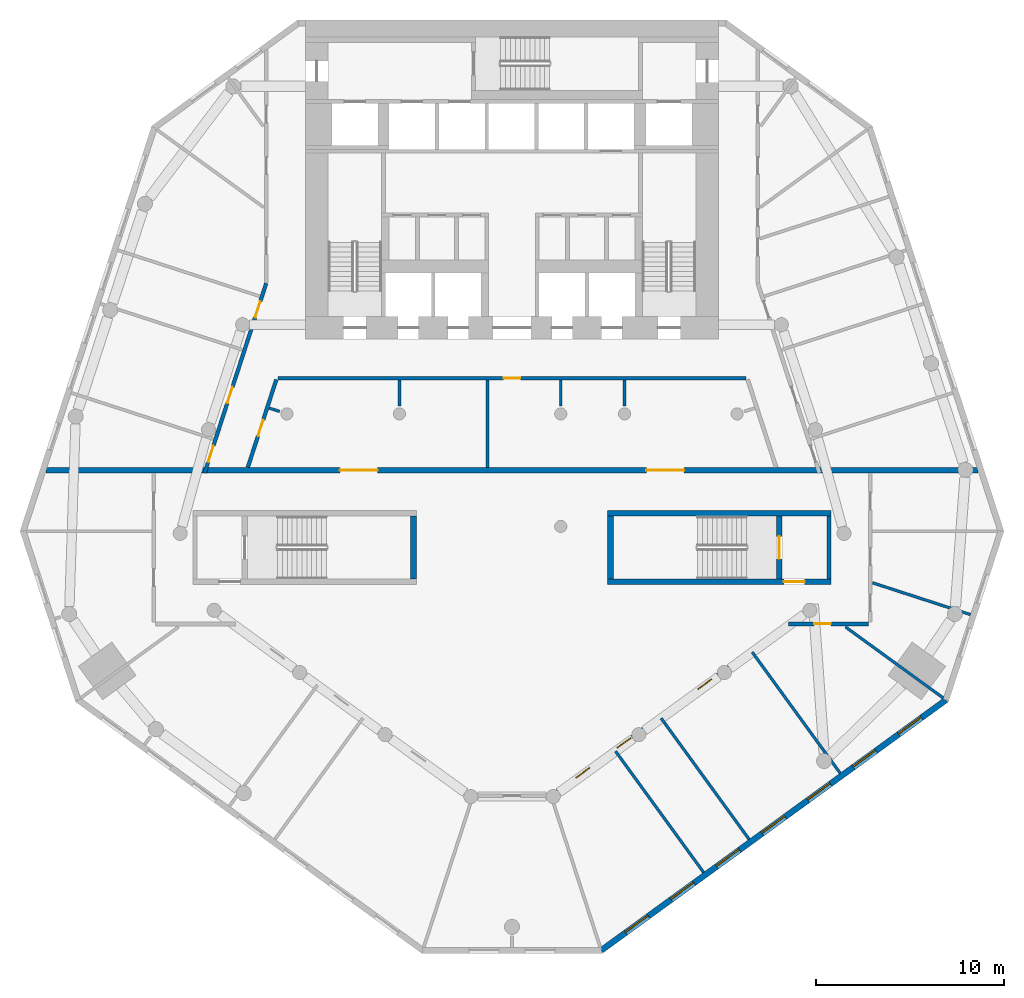
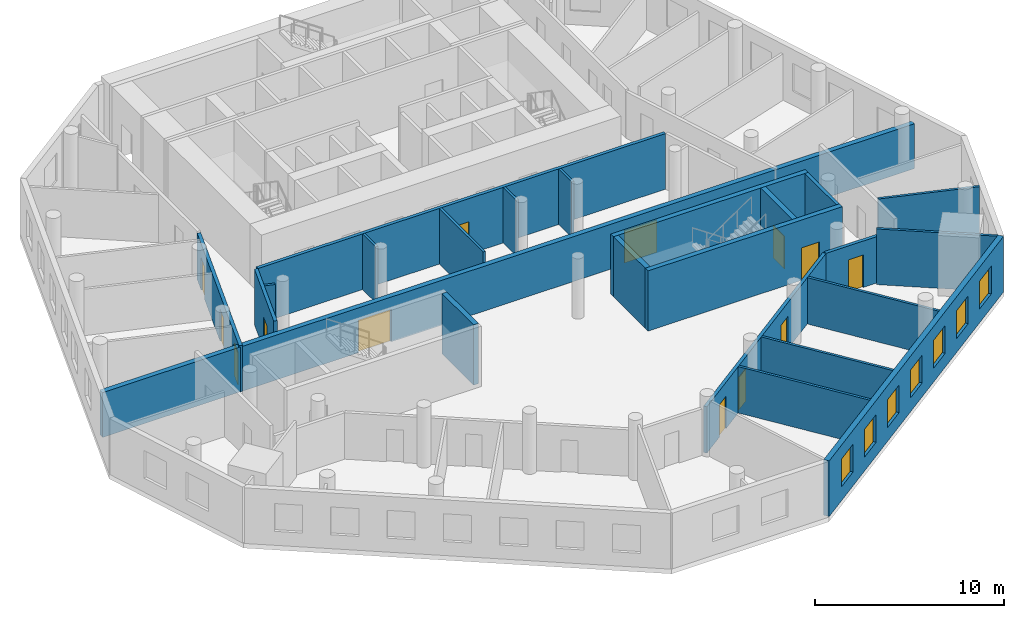
# One storey, part 3 of 9: 23 walls, 13 doors, 7 windows, 20 openings.
"""IFC4 building model written with IfcOpenShell, lengths in metres."""

from ifc_helpers import new_model, si_unit, direction, frame, frame_2d, origin, place, context, subcontext, project, spatial, rectangle, extrude, material, layer, layer_set, type_object, element, fill, save


model = new_model("IFC4")

# Units and contexts
model_context = context("Model", 3, precision=1e-05, world=origin(), true_north=direction((0.0, 1.0)))
body_context = subcontext(model_context, "Body", "Model", "MODEL_VIEW")
ifc_project = project(units=[si_unit("LENGTHUNIT", "METRE"), si_unit("AREAUNIT", "SQUARE_METRE"), si_unit("VOLUMEUNIT", "CUBIC_METRE"), si_unit("PLANEANGLEUNIT", "RADIAN"), si_unit("MASSUNIT", "GRAM", prefix="KILO")], contexts=[model_context])

# Site, building, storey
site_placement = place(None, origin())
site = spatial("IfcSite", under=ifc_project, at=site_placement, CompositionType="ELEMENT")
building_placement = place(site_placement, origin())
building = spatial("IfcBuilding", under=site, at=building_placement, Name="White Candle Pilgrim Tower", CompositionType="ELEMENT")
storey_placement = place(building_placement, frame((0.0, 0.0, 62.39990234375)))
storey = spatial("IfcBuildingStorey", under=building, at=storey_placement, Name="L12", CompositionType="ELEMENT", Elevation=62.39990234375)

# Wall
ifc_material_1 = material(Name="Concrete C70/85", Category="concrete")
ifc_layer_1 = layer(ifc_material_1, 0.199951171875)
ifc_layer_set_1 = layer_set([ifc_layer_1], Name="Core wall 200 mm Concrete C70/85")
wall_type_1 = type_object("IfcWallType", Name="Core wall 200 mm Concrete C70/85", PredefinedType="SHEAR", material=ifc_layer_set_1)
wall_1_placement = place(storey_placement, frame((86.89990234375, 58.199951171875, 0.0), z_axis=(0.0, 0.0, 1.0), x_axis=(0.0, 1.0, 0.0)))
element("IfcWall", 1, at=wall_1_placement, inside=storey, type_object=wall_type_1, Name="WL-L12-C08", PredefinedType="SHEAR", context=body_context, shape_type="SweptSolid", body=[
    extrude(rectangle(XDim=3.35009765625, YDim=0.199951171875, at=frame_2d((1.675048828125, 0.0))), origin(), (0.0, 0.0, 1.0), 3.900146484375),
])

# Wall, openings, doors
ifc_material_2 = material(Name="Gypsum board on steel studs", Category="steel")
ifc_layer_2 = layer(ifc_material_2, 0.199951171875)
ifc_layer_set_2 = layer_set([ifc_layer_2], Name="Corridor wall 200 mm EI 45")
wall_type_2 = type_object("IfcWallType", Name="Corridor wall 200 mm EI 45", PredefinedType="PARTITIONING", material=ifc_layer_set_2)
wall_2_placement = place(storey_placement, frame((53.610107421875, 63.85009765625, 0.0), z_axis=(0.0, 0.0, 1.0), x_axis=(0.308998312102, 0.951062586331, 0.0)))
wall_2 = element("IfcWall", 2, at=wall_2_placement, inside=storey, type_object=wall_type_2, Name="WL-L12-P002", PredefinedType="PARTITIONING", context=body_context, shape_type="SweptSolid", body=[
    extrude(rectangle(XDim=10.630859375, YDim=0.199951171875, at=frame_2d((5.3154296875, 0.0))), origin(), (0.0, 0.0, 1.0), 3.0),
])
opening_1_placement = place(wall_2_placement, frame((0.623291015625, 0.0, 0.0)))
opening_1 = element("IfcOpeningElement", 3, at=opening_1_placement, cuts=wall_2, Name="Opening T03-115", PredefinedType="OPENING", context=body_context, shape_type="SweptSolid", body=[
    extrude(rectangle(XDim=0.89990234375, YDim=2.10009765625, at=frame_2d((0.449951171875, 1.050048828125))), frame((0.0, 0.10986328125, 0.0), z_axis=(0.0, -1.0, 0.0), x_axis=(1.0, 0.0, 0.0)), (0.0, 0.0, 1.0), 0.219970703125),
])
opening_2_placement = place(wall_2_placement, frame((3.916748046875, 0.0, 0.0)))
opening_2 = element("IfcOpeningElement", 4, at=opening_2_placement, cuts=wall_2, Name="Opening T03-116", PredefinedType="OPENING", context=body_context, shape_type="SweptSolid", body=[
    extrude(rectangle(XDim=0.89990234375, YDim=2.10009765625, at=frame_2d((0.449951171875, 1.050048828125))), frame((0.0, 0.10986328125, 0.0), z_axis=(0.0, -1.0, 0.0), x_axis=(1.0, 0.0, 0.0)), (0.0, 0.0, 1.0), 0.219970703125),
])
opening_3_placement = place(wall_2_placement, frame((8.716552734375, 0.0, 0.0)))
opening_3 = element("IfcOpeningElement", 5, at=opening_3_placement, cuts=wall_2, Name="Opening T03-117", PredefinedType="OPENING", context=body_context, shape_type="SweptSolid", body=[
    extrude(rectangle(XDim=0.89990234375, YDim=2.10009765625, at=frame_2d((0.449951171875, 1.050048828125))), frame((0.0, 0.10986328125, 0.0), z_axis=(0.0, -1.0, 0.0), x_axis=(1.0, 0.0, 0.0)), (0.0, 0.0, 1.0), 0.219970703125),
])
ifc_material_3 = material(Name="Steel door leaf", Category="steel")
door_type_1 = type_object("IfcDoorType", Name="Fire door 900 x 2100 EI 30", OperationType="NOTDEFINED", PredefinedType="DOOR", material=ifc_material_3)
door_1_placement = place(opening_1_placement, origin())
door_1 = element("IfcDoor", 6, at=door_1_placement, inside=storey, type_object=door_type_1, Name="Door T03-115", OperationType="SINGLE_SWING_LEFT", OverallHeight=2.10009765625, OverallWidth=0.89990234375, PredefinedType="DOOR", context=body_context, shape_type="SweptSolid", body=[
    extrude(rectangle(XDim=0.89990234375, YDim=2.10009765625, at=frame_2d((0.449951171875, 1.050048828125))), frame((0.0, 0.02490234375, 0.0), z_axis=(0.0, -1.0, 0.0), x_axis=(1.0, 0.0, 0.0)), (0.0, 0.0, 1.0), 0.050048828125),
])
fill(opening_1, door_1)
door_2_placement = place(opening_2_placement, origin())
door_2 = element("IfcDoor", 7, at=door_2_placement, inside=storey, type_object=door_type_1, Name="Door T03-116", OperationType="SINGLE_SWING_RIGHT", OverallHeight=2.10009765625, OverallWidth=0.89990234375, PredefinedType="DOOR", context=body_context, shape_type="SweptSolid", body=[
    extrude(rectangle(XDim=0.89990234375, YDim=2.10009765625, at=frame_2d((0.449951171875, 1.050048828125))), frame((0.0, 0.02490234375, 0.0), z_axis=(0.0, -1.0, 0.0), x_axis=(1.0, 0.0, 0.0)), (0.0, 0.0, 1.0), 0.050048828125),
])
fill(opening_2, door_2)
door_3_placement = place(opening_3_placement, origin())
door_3 = element("IfcDoor", 8, at=door_3_placement, inside=storey, type_object=door_type_1, Name="Door T03-117", OperationType="SINGLE_SWING_LEFT", OverallHeight=2.10009765625, OverallWidth=0.89990234375, PredefinedType="DOOR", context=body_context, shape_type="SweptSolid", body=[
    extrude(rectangle(XDim=0.89990234375, YDim=2.10009765625, at=frame_2d((0.449951171875, 1.050048828125))), frame((0.0, 0.02490234375, 0.0), z_axis=(0.0, -1.0, 0.0), x_axis=(1.0, 0.0, 0.0)), (0.0, 0.0, 1.0), 0.050048828125),
])
fill(opening_3, door_3)

# Wall, opening, door
wall_3_placement = place(storey_placement, frame((89.0, 55.800048828125, 0.0), z_axis=(0.0, 0.0, 1.0), x_axis=(-1.0, 0.0, 0.0)))
wall_3 = element("IfcWall", 9, at=wall_3_placement, inside=storey, type_object=wall_type_2, Name="WL-L12-P007", PredefinedType="PARTITIONING", context=body_context, shape_type="SweptSolid", body=[
    extrude(rectangle(XDim=4.27099609375, YDim=0.199951171875, at=frame_2d((2.135498046875, 0.0))), origin(), (0.0, 0.0, 1.0), 3.0),
])
opening_4_placement = place(wall_3_placement, frame((1.996337890625, 0.0, 0.0)))
opening_4 = element("IfcOpeningElement", 10, at=opening_4_placement, cuts=wall_3, Name="Opening T03-109", PredefinedType="OPENING", context=body_context, shape_type="SweptSolid", body=[
    extrude(rectangle(XDim=0.89990234375, YDim=2.10009765625, at=frame_2d((0.449951171875, 1.050048828125))), frame((0.0, 0.10986328125, 0.0), z_axis=(0.0, -1.0, 0.0), x_axis=(1.0, 0.0, 0.0)), (0.0, 0.0, 1.0), 0.219970703125),
])
door_4_placement = place(opening_4_placement, origin())
door_4 = element("IfcDoor", 11, at=door_4_placement, inside=storey, type_object=door_type_1, Name="Door T03-109", OperationType="SINGLE_SWING_LEFT", OverallHeight=2.10009765625, OverallWidth=0.89990234375, PredefinedType="DOOR", context=body_context, shape_type="SweptSolid", body=[
    extrude(rectangle(XDim=0.89990234375, YDim=2.10009765625, at=frame_2d((0.449951171875, 1.050048828125))), frame((0.0, 0.02490234375, 0.0), z_axis=(0.0, -1.0, 0.0), x_axis=(1.0, 0.0, 0.0)), (0.0, 0.0, 1.0), 0.050048828125),
])
fill(opening_4, door_4)

# Wall, openings, doors
wall_4_placement = place(storey_placement, frame((84.67041015625, 55.781005859375, 0.0), z_axis=(0.0, 0.0, 1.0), x_axis=(-0.80901748899, -0.587784571512, 0.0)))
wall_4 = element("IfcWall", 12, at=wall_4_placement, inside=storey, type_object=wall_type_2, Name="WL-L12-P008", PredefinedType="PARTITIONING", context=body_context, shape_type="SweptSolid", body=[
    extrude(rectangle(XDim=15.52685546875, YDim=0.199951171875, at=frame_2d((7.763427734375, 0.0))), origin(), (0.0, 0.0, 1.0), 3.0),
])
opening_5_placement = place(wall_4_placement, frame((13.018798828125, 0.0, 0.0)))
opening_5 = element("IfcOpeningElement", 13, at=opening_5_placement, cuts=wall_4, Name="Opening T03-106", PredefinedType="OPENING", context=body_context, shape_type="SweptSolid", body=[
    extrude(rectangle(XDim=0.89990234375, YDim=2.10009765625, at=frame_2d((0.449951171875, 1.050048828125))), frame((0.0, 0.10986328125, 0.0), z_axis=(0.0, -1.0, 0.0), x_axis=(1.0, 0.0, 0.0)), (0.0, 0.0, 1.0), 0.219970703125),
])
opening_6_placement = place(wall_4_placement, frame((10.30322265625, 0.0, 0.0)))
opening_6 = element("IfcOpeningElement", 14, at=opening_6_placement, cuts=wall_4, Name="Opening T03-107", PredefinedType="OPENING", context=body_context, shape_type="SweptSolid", body=[
    extrude(rectangle(XDim=0.89990234375, YDim=2.10009765625, at=frame_2d((0.449951171875, 1.050048828125))), frame((0.0, 0.10986328125, 0.0), z_axis=(0.0, -1.0, 0.0), x_axis=(1.0, 0.0, 0.0)), (0.0, 0.0, 1.0), 0.219970703125),
])
opening_7_placement = place(wall_4_placement, frame((4.978271484375, 0.0, 0.0)))
opening_7 = element("IfcOpeningElement", 15, at=opening_7_placement, cuts=wall_4, Name="Opening T03-108", PredefinedType="OPENING", context=body_context, shape_type="SweptSolid", body=[
    extrude(rectangle(XDim=0.89990234375, YDim=2.10009765625, at=frame_2d((0.449951171875, 1.050048828125))), frame((0.0, 0.10986328125, 0.0), z_axis=(0.0, -1.0, 0.0), x_axis=(1.0, 0.0, 0.0)), (0.0, 0.0, 1.0), 0.219970703125),
])
door_5_placement = place(opening_5_placement, origin())
door_5 = element("IfcDoor", 16, at=door_5_placement, inside=storey, type_object=door_type_1, Name="Door T03-106", OperationType="SINGLE_SWING_RIGHT", OverallHeight=2.10009765625, OverallWidth=0.89990234375, PredefinedType="DOOR", context=body_context, shape_type="SweptSolid", body=[
    extrude(rectangle(XDim=0.89990234375, YDim=2.10009765625, at=frame_2d((0.449951171875, 1.050048828125))), frame((0.0, 0.02490234375, 0.0), z_axis=(0.0, -1.0, 0.0), x_axis=(1.0, 0.0, 0.0)), (0.0, 0.0, 1.0), 0.050048828125),
])
fill(opening_5, door_5)
door_6_placement = place(opening_6_placement, origin())
door_6 = element("IfcDoor", 17, at=door_6_placement, inside=storey, type_object=door_type_1, Name="Door T03-107", OperationType="SINGLE_SWING_LEFT", OverallHeight=2.10009765625, OverallWidth=0.89990234375, PredefinedType="DOOR", context=body_context, shape_type="SweptSolid", body=[
    extrude(rectangle(XDim=0.89990234375, YDim=2.10009765625, at=frame_2d((0.449951171875, 1.050048828125))), frame((0.0, 0.02490234375, 0.0), z_axis=(0.0, -1.0, 0.0), x_axis=(1.0, 0.0, 0.0)), (0.0, 0.0, 1.0), 0.050048828125),
])
fill(opening_6, door_6)
door_7_placement = place(opening_7_placement, origin())
door_7 = element("IfcDoor", 18, at=door_7_placement, inside=storey, type_object=door_type_1, Name="Door T03-108", OperationType="SINGLE_SWING_RIGHT", OverallHeight=2.10009765625, OverallWidth=0.89990234375, PredefinedType="DOOR", context=body_context, shape_type="SweptSolid", body=[
    extrude(rectangle(XDim=0.89990234375, YDim=2.10009765625, at=frame_2d((0.449951171875, 1.050048828125))), frame((0.0, 0.02490234375, 0.0), z_axis=(0.0, -1.0, 0.0), x_axis=(1.0, 0.0, 0.0)), (0.0, 0.0, 1.0), 0.050048828125),
])
fill(opening_7, door_7)

# Wall, opening, door
wall_5_placement = place(storey_placement, frame((82.468505859375, 68.89990234375, 0.0), z_axis=(0.0, 0.0, 1.0), x_axis=(-1.0, 0.0, 0.0)))
wall_5 = element("IfcWall", 19, at=wall_5_placement, inside=storey, type_object=wall_type_2, Name="WL-L12-P013", PredefinedType="PARTITIONING", context=body_context, shape_type="SweptSolid", body=[
    extrude(rectangle(XDim=24.93701171875, YDim=0.199951171875, at=frame_2d((12.468505859375, 0.0))), origin(), (0.0, 0.0, 1.0), 3.60009765625),
])
opening_8_placement = place(wall_5_placement, frame((12.0185546875, 0.0, 0.0)))
opening_8 = element("IfcOpeningElement", 20, at=opening_8_placement, cuts=wall_5, Name="Opening T03-130", PredefinedType="OPENING", context=body_context, shape_type="SweptSolid", body=[
    extrude(rectangle(XDim=0.89990234375, YDim=2.10009765625, at=frame_2d((0.449951171875, 1.050048828125))), frame((0.0, 0.10986328125, 0.0), z_axis=(0.0, -1.0, 0.0), x_axis=(1.0, 0.0, 0.0)), (0.0, 0.0, 1.0), 0.219970703125),
])
door_8_placement = place(opening_8_placement, origin())
door_8 = element("IfcDoor", 21, at=door_8_placement, inside=storey, type_object=door_type_1, Name="Door T03-130", OperationType="SINGLE_SWING_RIGHT", OverallHeight=2.10009765625, OverallWidth=0.89990234375, PredefinedType="DOOR", context=body_context, shape_type="SweptSolid", body=[
    extrude(rectangle(XDim=0.89990234375, YDim=2.10009765625, at=frame_2d((0.449951171875, 1.050048828125))), frame((0.0, 0.02490234375, 0.0), z_axis=(0.0, -1.0, 0.0), x_axis=(1.0, 0.0, 0.0)), (0.0, 0.0, 1.0), 0.050048828125),
])
fill(opening_8, door_8)

wall_6_placement = place(storey_placement, frame((57.436279296875, 68.830810546875, 0.0), z_axis=(0.0, 0.0, 1.0), x_axis=(-0.308986244793, -0.95106650689, 0.0)))
wall_6 = element("IfcWall", 22, at=wall_6_placement, inside=storey, type_object=wall_type_2, Name="WL-L12-P014", PredefinedType="PARTITIONING", context=body_context, shape_type="SweptSolid", body=[
    extrude(rectangle(XDim=4.921630859375, YDim=0.199951171875, at=frame_2d((2.4609375, 0.0))), origin(), (0.0, 0.0, 1.0), 3.60009765625),
])
opening_9_placement = place(wall_6_placement, frame((2.2705078125, 0.0, 0.0)))
opening_9 = element("IfcOpeningElement", 23, at=opening_9_placement, cuts=wall_6, Name="Opening T03-129", PredefinedType="OPENING", context=body_context, shape_type="SweptSolid", body=[
    extrude(rectangle(XDim=0.89990234375, YDim=2.10009765625, at=frame_2d((0.449951171875, 1.050048828125))), frame((0.0, 0.10986328125, 0.0), z_axis=(0.0, -1.0, 0.0), x_axis=(1.0, 0.0, 0.0)), (0.0, 0.0, 1.0), 0.219970703125),
])
door_9_placement = place(opening_9_placement, origin())
door_9 = element("IfcDoor", 24, at=door_9_placement, inside=storey, type_object=door_type_1, Name="Door T03-129", OperationType="SINGLE_SWING_LEFT", OverallHeight=2.10009765625, OverallWidth=0.89990234375, PredefinedType="DOOR", context=body_context, shape_type="SweptSolid", body=[
    extrude(rectangle(XDim=0.89990234375, YDim=2.10009765625, at=frame_2d((0.449951171875, 1.050048828125))), frame((0.0, 0.02490234375, 0.0), z_axis=(0.0, -1.0, 0.0), x_axis=(1.0, 0.0, 0.0)), (0.0, 0.0, 1.0), 0.050048828125),
])
fill(opening_9, door_9)

# Wall, openings, windows
ifc_material_4 = material(Name="Precast concrete C40/50", Category="concrete")
ifc_layer_3 = layer(ifc_material_4, 0.320068359375)
ifc_layer_set_3 = layer_set([ifc_layer_3], Name="Facade wall EW1 precast concrete C40/50 pier wall with timber-lined reveals")
wall_type_3 = type_object("IfcWallType", Name="Facade wall EW1 precast concrete C40/50 pier wall with timber-lined reveals", PredefinedType="SOLIDWALL", material=ifc_layer_set_3)
wall_7_placement = place(storey_placement, frame((74.760009765625, 38.3955078125, 0.0), z_axis=(0.0, 0.0, 1.0), x_axis=(0.809018094896, 0.587783737552, 0.0)))
wall_7 = element("IfcWall", 25, at=wall_7_placement, inside=storey, type_object=wall_type_3, Name="Facade wall L12 SE", PredefinedType="SOLIDWALL", context=body_context, shape_type="SweptSolid", body=[
    extrude(rectangle(XDim=22.71630859375, YDim=0.320068359375, at=frame_2d((11.358154296875, 0.0))), origin(), (0.0, 0.0, 1.0), 3.60009765625),
])
opening_10_placement = place(wall_7_placement, frame((1.608154296875, 0.0, 0.89990234375)))
opening_10 = element("IfcOpeningElement", 26, at=opening_10_placement, cuts=wall_7, Name="Opening W1", PredefinedType="OPENING", context=body_context, shape_type="SweptSolid", body=[
    extrude(rectangle(XDim=1.5, YDim=1.800048828125, at=frame_2d((0.75, 0.89990234375))), frame((0.0, 0.169921875, 0.0), z_axis=(0.0, -1.0, 0.0), x_axis=(1.0, 0.0, 0.0)), (0.0, 0.0, 1.0), 0.340087890625),
])
opening_11_placement = place(wall_7_placement, frame((4.608154296875, 0.0, 0.89990234375)))
opening_11 = element("IfcOpeningElement", 27, at=opening_11_placement, cuts=wall_7, Name="Opening W1", PredefinedType="OPENING", context=body_context, shape_type="SweptSolid", body=[
    extrude(rectangle(XDim=1.5, YDim=1.800048828125, at=frame_2d((0.75, 0.89990234375))), frame((0.0, 0.169921875, 0.0), z_axis=(0.0, -1.0, 0.0), x_axis=(1.0, 0.0, 0.0)), (0.0, 0.0, 1.0), 0.340087890625),
])
opening_12_placement = place(wall_7_placement, frame((7.608154296875, 0.0, 0.89990234375)))
opening_12 = element("IfcOpeningElement", 28, at=opening_12_placement, cuts=wall_7, Name="Opening W1", PredefinedType="OPENING", context=body_context, shape_type="SweptSolid", body=[
    extrude(rectangle(XDim=1.5, YDim=1.800048828125, at=frame_2d((0.75, 0.89990234375))), frame((0.0, 0.169921875, 0.0), z_axis=(0.0, -1.0, 0.0), x_axis=(1.0, 0.0, 0.0)), (0.0, 0.0, 1.0), 0.340087890625),
])
opening_13_placement = place(wall_7_placement, frame((10.608154296875, 0.0, 0.89990234375)))
opening_13 = element("IfcOpeningElement", 29, at=opening_13_placement, cuts=wall_7, Name="Opening W1", PredefinedType="OPENING", context=body_context, shape_type="SweptSolid", body=[
    extrude(rectangle(XDim=1.5, YDim=1.800048828125, at=frame_2d((0.75, 0.89990234375))), frame((0.0, 0.169921875, 0.0), z_axis=(0.0, -1.0, 0.0), x_axis=(1.0, 0.0, 0.0)), (0.0, 0.0, 1.0), 0.340087890625),
])
opening_14_placement = place(wall_7_placement, frame((13.608154296875, 0.0, 0.89990234375)))
opening_14 = element("IfcOpeningElement", 30, at=opening_14_placement, cuts=wall_7, Name="Opening W1", PredefinedType="OPENING", context=body_context, shape_type="SweptSolid", body=[
    extrude(rectangle(XDim=1.5, YDim=1.800048828125, at=frame_2d((0.75, 0.89990234375))), frame((0.0, 0.169921875, 0.0), z_axis=(0.0, -1.0, 0.0), x_axis=(1.0, 0.0, 0.0)), (0.0, 0.0, 1.0), 0.340087890625),
])
opening_15_placement = place(wall_7_placement, frame((16.608154296875, 0.0, 0.89990234375)))
opening_15 = element("IfcOpeningElement", 31, at=opening_15_placement, cuts=wall_7, Name="Opening W1", PredefinedType="OPENING", context=body_context, shape_type="SweptSolid", body=[
    extrude(rectangle(XDim=1.5, YDim=1.800048828125, at=frame_2d((0.75, 0.89990234375))), frame((0.0, 0.169921875, 0.0), z_axis=(0.0, -1.0, 0.0), x_axis=(1.0, 0.0, 0.0)), (0.0, 0.0, 1.0), 0.340087890625),
])
opening_16_placement = place(wall_7_placement, frame((19.608154296875, 0.0, 0.89990234375)))
opening_16 = element("IfcOpeningElement", 32, at=opening_16_placement, cuts=wall_7, Name="Opening W1", PredefinedType="OPENING", context=body_context, shape_type="SweptSolid", body=[
    extrude(rectangle(XDim=1.5, YDim=1.800048828125, at=frame_2d((0.75, 0.89990234375))), frame((0.0, 0.169921875, 0.0), z_axis=(0.0, -1.0, 0.0), x_axis=(1.0, 0.0, 0.0)), (0.0, 0.0, 1.0), 0.340087890625),
])
ifc_material_5 = material(Name="Timber frame with triple glazing", Category="wood")
window_type = type_object("IfcWindowType", Name="Window W1 1500x1800 timber frame triple glazing", PartitioningType="SINGLE_PANEL", PredefinedType="WINDOW", material=ifc_material_5)
window_1_placement = place(opening_10_placement, origin())
window_1 = element("IfcWindow", 33, at=window_1_placement, inside=storey, type_object=window_type, Name="Window W1 L12 SE 1", OverallHeight=1.800048828125, OverallWidth=1.5, PartitioningType="SINGLE_PANEL", PredefinedType="WINDOW", context=body_context, shape_type="SweptSolid", body=[
    extrude(rectangle(XDim=1.5, YDim=1.800048828125, at=frame_2d((0.75, 0.89990234375))), frame((0.0, 0.070068359375, 0.0), z_axis=(0.0, -1.0, 0.0), x_axis=(1.0, 0.0, 0.0)), (0.0, 0.0, 1.0), 0.06005859375),
])
fill(opening_10, window_1)
window_2_placement = place(opening_11_placement, origin())
window_2 = element("IfcWindow", 34, at=window_2_placement, inside=storey, type_object=window_type, Name="Window W1 L12 SE 2", OverallHeight=1.800048828125, OverallWidth=1.5, PartitioningType="SINGLE_PANEL", PredefinedType="WINDOW", context=body_context, shape_type="SweptSolid", body=[
    extrude(rectangle(XDim=1.5, YDim=1.800048828125, at=frame_2d((0.75, 0.89990234375))), frame((0.0, 0.070068359375, 0.0), z_axis=(0.0, -1.0, 0.0), x_axis=(1.0, 0.0, 0.0)), (0.0, 0.0, 1.0), 0.06005859375),
])
fill(opening_11, window_2)
window_3_placement = place(opening_12_placement, origin())
window_3 = element("IfcWindow", 35, at=window_3_placement, inside=storey, type_object=window_type, Name="Window W1 L12 SE 3", OverallHeight=1.800048828125, OverallWidth=1.5, PartitioningType="SINGLE_PANEL", PredefinedType="WINDOW", context=body_context, shape_type="SweptSolid", body=[
    extrude(rectangle(XDim=1.5, YDim=1.800048828125, at=frame_2d((0.75, 0.89990234375))), frame((0.0, 0.070068359375, 0.0), z_axis=(0.0, -1.0, 0.0), x_axis=(1.0, 0.0, 0.0)), (0.0, 0.0, 1.0), 0.06005859375),
])
fill(opening_12, window_3)
window_4_placement = place(opening_13_placement, origin())
window_4 = element("IfcWindow", 36, at=window_4_placement, inside=storey, type_object=window_type, Name="Window W1 L12 SE 4", OverallHeight=1.800048828125, OverallWidth=1.5, PartitioningType="SINGLE_PANEL", PredefinedType="WINDOW", context=body_context, shape_type="SweptSolid", body=[
    extrude(rectangle(XDim=1.5, YDim=1.800048828125, at=frame_2d((0.75, 0.89990234375))), frame((0.0, 0.070068359375, 0.0), z_axis=(0.0, -1.0, 0.0), x_axis=(1.0, 0.0, 0.0)), (0.0, 0.0, 1.0), 0.06005859375),
])
fill(opening_13, window_4)
window_5_placement = place(opening_14_placement, origin())
window_5 = element("IfcWindow", 37, at=window_5_placement, inside=storey, type_object=window_type, Name="Window W1 L12 SE 5", OverallHeight=1.800048828125, OverallWidth=1.5, PartitioningType="SINGLE_PANEL", PredefinedType="WINDOW", context=body_context, shape_type="SweptSolid", body=[
    extrude(rectangle(XDim=1.5, YDim=1.800048828125, at=frame_2d((0.75, 0.89990234375))), frame((0.0, 0.070068359375, 0.0), z_axis=(0.0, -1.0, 0.0), x_axis=(1.0, 0.0, 0.0)), (0.0, 0.0, 1.0), 0.06005859375),
])
fill(opening_14, window_5)
window_6_placement = place(opening_15_placement, origin())
window_6 = element("IfcWindow", 38, at=window_6_placement, inside=storey, type_object=window_type, Name="Window W1 L12 SE 6", OverallHeight=1.800048828125, OverallWidth=1.5, PartitioningType="SINGLE_PANEL", PredefinedType="WINDOW", context=body_context, shape_type="SweptSolid", body=[
    extrude(rectangle(XDim=1.5, YDim=1.800048828125, at=frame_2d((0.75, 0.89990234375))), frame((0.0, 0.070068359375, 0.0), z_axis=(0.0, -1.0, 0.0), x_axis=(1.0, 0.0, 0.0)), (0.0, 0.0, 1.0), 0.06005859375),
])
fill(opening_15, window_6)
window_7_placement = place(opening_16_placement, origin())
window_7 = element("IfcWindow", 39, at=window_7_placement, inside=storey, type_object=window_type, Name="Window W1 L12 SE 7", OverallHeight=1.800048828125, OverallWidth=1.5, PartitioningType="SINGLE_PANEL", PredefinedType="WINDOW", context=body_context, shape_type="SweptSolid", body=[
    extrude(rectangle(XDim=1.5, YDim=1.800048828125, at=frame_2d((0.75, 0.89990234375))), frame((0.0, 0.070068359375, 0.0), z_axis=(0.0, -1.0, 0.0), x_axis=(1.0, 0.0, 0.0)), (0.0, 0.0, 1.0), 0.06005859375),
])
fill(opening_16, window_7)

# Wall, openings, doors
ifc_material_6 = material(Name="Aerated concrete block", Category="concrete")
ifc_layer_4 = layer(ifc_material_6, 0.300048828125)
ifc_layer_set_4 = layer_set([ifc_layer_4], Name="Fire wall 300 mm REI 240")
wall_type_4 = type_object("IfcWallType", Name="Fire wall 300 mm REI 240", PredefinedType="PARTITIONING", material=ifc_layer_set_4)
wall_8_placement = place(storey_placement, frame((45.162841796875, 64.0, 0.0), z_axis=(0.0, 0.0, 1.0), x_axis=(1.0, 0.0, 0.0)))
wall_8 = element("IfcWall", 40, at=wall_8_placement, inside=storey, type_object=wall_type_4, Name="WL-L12-P001", PredefinedType="PARTITIONING", context=body_context, shape_type="SweptSolid", body=[
    extrude(rectangle(XDim=49.67431640625, YDim=0.300048828125, at=frame_2d((24.837158203125, 0.0))), origin(), (0.0, 0.0, 1.0), 2.900146484375),
])
opening_17_placement = place(wall_8_placement, frame((15.66650390625, 0.0, 0.0)))
opening_17 = element("IfcOpeningElement", 41, at=opening_17_placement, cuts=wall_8, Name="Opening T03-112", PredefinedType="OPENING", context=body_context, shape_type="SweptSolid", body=[
    extrude(rectangle(XDim=2.0, YDim=2.10009765625, at=frame_2d((1.0, 1.050048828125))), frame((0.0, 0.159912109375, 0.0), z_axis=(0.0, -1.0, 0.0), x_axis=(1.0, 0.0, 0.0)), (0.0, 0.0, 1.0), 0.320068359375),
])
opening_18_placement = place(wall_8_placement, frame((32.0078125, 0.0, 0.0)))
opening_18 = element("IfcOpeningElement", 42, at=opening_18_placement, cuts=wall_8, Name="Opening T03-113", PredefinedType="OPENING", context=body_context, shape_type="SweptSolid", body=[
    extrude(rectangle(XDim=2.0, YDim=2.10009765625, at=frame_2d((1.0, 1.050048828125))), frame((0.0, 0.159912109375, 0.0), z_axis=(0.0, -1.0, 0.0), x_axis=(1.0, 0.0, 0.0)), (0.0, 0.0, 1.0), 0.320068359375),
])
door_type_2 = type_object("IfcDoorType", Name="Fire door 2000 x 2100 EI 60", OperationType="NOTDEFINED", PredefinedType="DOOR", material=ifc_material_3)
door_10_placement = place(opening_17_placement, origin())
door_10 = element("IfcDoor", 43, at=door_10_placement, inside=storey, type_object=door_type_2, Name="Door T03-112", OperationType="DOUBLE_DOOR_SINGLE_SWING", OverallHeight=2.10009765625, OverallWidth=2.0, PredefinedType="DOOR", context=body_context, shape_type="SweptSolid", body=[
    extrude(rectangle(XDim=2.0, YDim=2.10009765625, at=frame_2d((1.0, 1.050048828125))), frame((0.0, 0.02490234375, 0.0), z_axis=(0.0, -1.0, 0.0), x_axis=(1.0, 0.0, 0.0)), (0.0, 0.0, 1.0), 0.050048828125),
])
fill(opening_17, door_10)
door_11_placement = place(opening_18_placement, origin())
door_11 = element("IfcDoor", 44, at=door_11_placement, inside=storey, type_object=door_type_2, Name="Door T03-113", OperationType="DOUBLE_DOOR_SINGLE_SWING", OverallHeight=2.10009765625, OverallWidth=2.0, PredefinedType="DOOR", context=body_context, shape_type="SweptSolid", body=[
    extrude(rectangle(XDim=2.0, YDim=2.10009765625, at=frame_2d((1.0, 1.050048828125))), frame((0.0, 0.02490234375, 0.0), z_axis=(0.0, -1.0, 0.0), x_axis=(1.0, 0.0, 0.0)), (0.0, 0.0, 1.0), 0.050048828125),
])
fill(opening_18, door_11)

# Walls
ifc_layer_5 = layer(ifc_material_2, 0.14990234375)
ifc_layer_set_5 = layer_set([ifc_layer_5], Name="Partition 150 mm EI 60")
wall_type_5 = type_object("IfcWallType", Name="Partition 150 mm EI 60", PredefinedType="PARTITIONING", material=ifc_layer_set_5)
wall_9_placement = place(storey_placement, frame((93.001953125, 51.8466796875, 0.0), z_axis=(0.0, 0.0, 1.0), x_axis=(-0.809002704112, 0.587804920649, 0.0)))
element("IfcWall", 45, at=wall_9_placement, inside=storey, type_object=wall_type_5, Name="WL-L12-P021", PredefinedType="PARTITIONING", context=body_context, shape_type="SweptSolid", body=[
    extrude(rectangle(XDim=6.452392578125, YDim=0.14990234375, at=frame_2d((3.22607421875, 0.0))), origin(), (0.0, 0.0, 1.0), 3.60009765625),
])
wall_10_placement = place(storey_placement, frame((80.21435546875, 42.55615234375, 0.0), z_axis=(0.0, 0.0, 1.0), x_axis=(-0.587785971812, 0.809016471613, 0.0)))
element("IfcWall", 46, at=wall_10_placement, inside=storey, type_object=wall_type_5, Name="WL-L12-P030", PredefinedType="PARTITIONING", context=body_context, shape_type="SweptSolid", body=[
    extrude(rectangle(XDim=7.979736328125, YDim=0.14990234375, at=frame_2d((3.98974609375, 0.0))), origin(), (0.0, 0.0, 1.0), 3.0),
])
wall_11_placement = place(storey_placement, frame((82.6416015625, 44.3193359375, 0.0), z_axis=(0.0, 0.0, 1.0), x_axis=(-0.587791447383, 0.809012493342, 0.0)))
element("IfcWall", 47, at=wall_11_placement, inside=storey, type_object=wall_type_5, Name="WL-L12-P031", PredefinedType="PARTITIONING", context=body_context, shape_type="SweptSolid", body=[
    extrude(rectangle(XDim=7.980224609375, YDim=0.14990234375, at=frame_2d((3.990234375, 0.0))), origin(), (0.0, 0.0, 1.0), 3.0),
])
wall_12_placement = place(storey_placement, frame((87.49560546875, 47.84619140625, 0.0), z_axis=(0.0, 0.0, 1.0), x_axis=(-0.587785971812, 0.809016471613, 0.0)))
element("IfcWall", 48, at=wall_12_placement, inside=storey, type_object=wall_type_5, Name="WL-L12-P032", PredefinedType="PARTITIONING", context=body_context, shape_type="SweptSolid", body=[
    extrude(rectangle(XDim=7.979736328125, YDim=0.14990234375, at=frame_2d((3.98974609375, 0.0))), origin(), (0.0, 0.0, 1.0), 3.0),
])
wall_13_placement = place(storey_placement, frame((94.447998046875, 56.297119140625, 0.0), z_axis=(0.0, 0.0, 1.0), x_axis=(-0.951064436206, 0.308992618333, 0.0)))
element("IfcWall", 49, at=wall_13_placement, inside=storey, type_object=wall_type_5, Name="WL-L12-P033", PredefinedType="PARTITIONING", context=body_context, shape_type="SweptSolid", body=[
    extrude(rectangle(XDim=5.49365234375, YDim=0.14990234375, at=frame_2d((2.746826171875, 0.0))), origin(), (0.0, 0.0, 1.0), 3.60009765625),
])
wall_14_placement = place(storey_placement, frame((68.696533203125, 64.14990234375, 0.0), z_axis=(0.0, 0.0, 1.0), x_axis=(0.0, 1.0, 0.0)))
element("IfcWall", 50, at=wall_14_placement, inside=storey, type_object=wall_type_5, Name="WL-L12-P039", PredefinedType="PARTITIONING", context=body_context, shape_type="SweptSolid", body=[
    extrude(rectangle(XDim=4.650146484375, YDim=0.14990234375, at=frame_2d((2.3251953125, 0.0))), origin(), (0.0, 0.0, 1.0), 3.60009765625),
])
wall_15_placement = place(storey_placement, frame((57.606201171875, 67.131103515625, 0.0), z_axis=(0.0, 0.0, 1.0), x_axis=(-0.9511501924, 0.30872854014, 0.0)))
element("IfcWall", 51, at=wall_15_placement, inside=storey, type_object=wall_type_5, Name="WL-L12-P043", PredefinedType="PARTITIONING", context=body_context, shape_type="SweptSolid", body=[
    extrude(rectangle(XDim=0.586669921875, YDim=0.14990234375, at=frame_2d((0.29345703125, 0.0))), origin(), (0.0, 0.0, 1.0), 3.60009765625),
])
for number, where, z_axis, x_axis, name in (
    (52, (63.997802734375, 67.4150390625, 0.0), (0.0, 0.0, 1.0), (0.0, 1.0, 0.0), "WL-L12-P044"),
    (53, (72.59765625, 67.4150390625, 0.0), (0.0, 0.0, 1.0), (0.0, 1.0, 0.0), "WL-L12-P045"),
    (54, (75.997802734375, 67.4150390625, 0.0), (0.0, 0.0, 1.0), (0.0, 1.0, 0.0), "WL-L12-P046"),
):
    element("IfcWall", number, at=place(storey_placement, frame(where, z_axis=z_axis, x_axis=x_axis)), inside=storey, type_object=wall_type_5, Name=name, PredefinedType="PARTITIONING", context=body_context, shape_type="SweptSolid", body=[
        extrude(rectangle(XDim=1.385009765625, YDim=0.14990234375, at=frame_2d((0.6923828125, 0.0))), origin(), (0.0, 0.0, 1.0), 3.60009765625),
    ])

# Wall, opening, door
ifc_layer_6 = layer(ifc_material_1, 0.300048828125)
ifc_layer_set_6 = layer_set([ifc_layer_6], Name="Stair shaft wall 300 mm Concrete C70/85")
wall_type_6 = type_object("IfcWallType", Name="Stair shaft wall 300 mm Concrete C70/85", PredefinedType="SHEAR", material=ifc_layer_set_6)
wall_16_placement = place(storey_placement, frame((75.10009765625, 58.050048828125, 0.0), z_axis=(0.0, 0.0, 1.0), x_axis=(1.0, 0.0, 0.0)))
wall_16 = element("IfcWall", 55, at=wall_16_placement, inside=storey, type_object=wall_type_6, Name="WL-L12-C02", PredefinedType="SHEAR", context=body_context, shape_type="SweptSolid", body=[
    extrude(rectangle(XDim=11.89990234375, YDim=0.300048828125, at=frame_2d((5.949951171875, 0.0))), origin(), (0.0, 0.0, 1.0), 3.900146484375),
])
opening_19_placement = place(wall_16_placement, frame((9.39990234375, 0.0, 0.0)))
opening_19 = element("IfcOpeningElement", 56, at=opening_19_placement, cuts=wall_16, Name="Opening T03-009", PredefinedType="OPENING", context=body_context, shape_type="SweptSolid", body=[
    extrude(rectangle(XDim=1.10009765625, YDim=2.10009765625, at=frame_2d((0.550048828125, 1.050048828125))), frame((0.0, 0.159912109375, 0.0), z_axis=(0.0, -1.0, 0.0), x_axis=(1.0, 0.0, 0.0)), (0.0, 0.0, 1.0), 0.320068359375),
])
door_type_3 = type_object("IfcDoorType", Name="Fire door 1100 x 2100 EI 60", OperationType="NOTDEFINED", PredefinedType="DOOR", material=ifc_material_3)
door_12_placement = place(opening_19_placement, origin())
door_12 = element("IfcDoor", 57, at=door_12_placement, inside=storey, type_object=door_type_3, Name="Door T03-009", OperationType="SINGLE_SWING_LEFT", OverallHeight=2.10009765625, OverallWidth=1.10009765625, PredefinedType="DOOR", context=body_context, shape_type="SweptSolid", body=[
    extrude(rectangle(XDim=1.10009765625, YDim=2.10009765625, at=frame_2d((0.550048828125, 1.050048828125))), frame((0.0, 0.02490234375, 0.0), z_axis=(0.0, -1.0, 0.0), x_axis=(1.0, 0.0, 0.0)), (0.0, 0.0, 1.0), 0.050048828125),
])
fill(opening_19, door_12)

# Walls
for number, where, z_axis, x_axis, name in (
    (58, (64.75, 58.199951171875, 0.0), (0.0, 0.0, 1.0), (0.0, 1.0, 0.0), "WL-L12-C05"),
    (59, (75.25, 58.199951171875, 0.0), (0.0, 0.0, 1.0), (0.0, 1.0, 0.0), "WL-L12-C06"),
):
    element("IfcWall", number, at=place(storey_placement, frame(where, z_axis=z_axis, x_axis=x_axis)), inside=storey, type_object=wall_type_6, Name=name, PredefinedType="SHEAR", context=body_context, shape_type="SweptSolid", body=[
        extrude(rectangle(XDim=3.35009765625, YDim=0.300048828125, at=frame_2d((1.675048828125, 0.0))), origin(), (0.0, 0.0, 1.0), 3.900146484375),
    ])

# Wall, opening, door
wall_17_placement = place(storey_placement, frame((84.25, 58.199951171875, 0.0), z_axis=(0.0, 0.0, 1.0), x_axis=(0.0, 1.0, 0.0)))
wall_17 = element("IfcWall", 60, at=wall_17_placement, inside=storey, type_object=wall_type_6, Name="WL-L12-C07", PredefinedType="SHEAR", context=body_context, shape_type="SweptSolid", body=[
    extrude(rectangle(XDim=3.35009765625, YDim=0.300048828125, at=frame_2d((1.675048828125, 0.0))), origin(), (0.0, 0.0, 1.0), 3.900146484375),
])
opening_20_placement = place(wall_17_placement, frame((1.074951171875, 0.0, 0.0)))
opening_20 = element("IfcOpeningElement", 61, at=opening_20_placement, cuts=wall_17, Name="Opening T03-010", PredefinedType="OPENING", context=body_context, shape_type="SweptSolid", body=[
    extrude(rectangle(XDim=1.199951171875, YDim=2.10009765625, at=frame_2d((0.60009765625, 1.050048828125))), frame((0.0, 0.159912109375, 0.0), z_axis=(0.0, -1.0, 0.0), x_axis=(1.0, 0.0, 0.0)), (0.0, 0.0, 1.0), 0.320068359375),
])
door_type_4 = type_object("IfcDoorType", Name="Fire door 1200 x 2100 EI 60", OperationType="NOTDEFINED", PredefinedType="DOOR", material=ifc_material_3)
door_13_placement = place(opening_20_placement, origin())
door_13 = element("IfcDoor", 62, at=door_13_placement, inside=storey, type_object=door_type_4, Name="Door T03-010", OperationType="SINGLE_SWING_RIGHT", OverallHeight=2.10009765625, OverallWidth=1.199951171875, PredefinedType="DOOR", context=body_context, shape_type="SweptSolid", body=[
    extrude(rectangle(XDim=1.199951171875, YDim=2.10009765625, at=frame_2d((0.60009765625, 1.050048828125))), frame((0.0, 0.02490234375, 0.0), z_axis=(0.0, -1.0, 0.0), x_axis=(1.0, 0.0, 0.0)), (0.0, 0.0, 1.0), 0.050048828125),
])
fill(opening_20, door_13)

# Wall
wall_18_placement = place(storey_placement, frame((75.10009765625, 61.699951171875, 0.0), z_axis=(0.0, 0.0, 1.0), x_axis=(1.0, 0.0, 0.0)))
element("IfcWall", 63, at=wall_18_placement, inside=storey, type_object=wall_type_6, Name="WL-L12-C10", PredefinedType="SHEAR", context=body_context, shape_type="SweptSolid", body=[
    extrude(rectangle(XDim=11.89990234375, YDim=0.300048828125, at=frame_2d((5.949951171875, 0.0))), origin(), (0.0, 0.0, 1.0), 3.900146484375),
])

save(model, "model.ifc")
